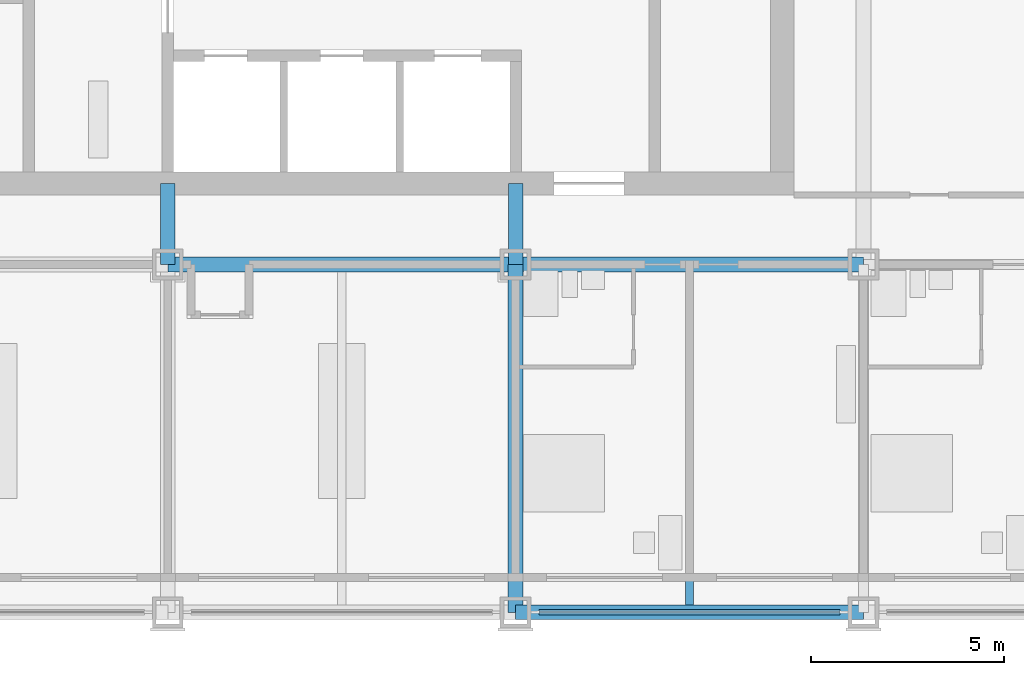
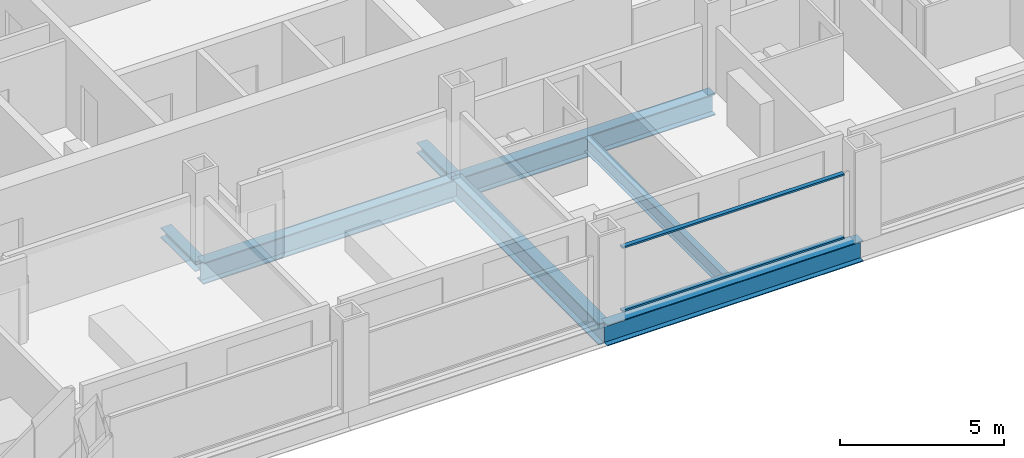
# One storey, part 3 of 18: 5 beams, 4 members, 1 element without a shape of its own.
"""IFC4 building model written with IfcOpenShell, lengths in metres."""

from ifc_helpers import new_model, si_unit, direction, frame, origin, origin_2d, place, context, subcontext, project, spatial, rectangle, i_section, extrude, material, material_profile, profile_set, type_object, element, aggregate, save


model = new_model("IFC4")

# Units and contexts
model_context = context("Model", 3, precision=1e-05, world=origin(), true_north=direction((0.0, 1.0)))
body_context = subcontext(model_context, "Body", "Model", "MODEL_VIEW")
ifc_project = project(units=[si_unit("LENGTHUNIT", "METRE"), si_unit("AREAUNIT", "SQUARE_METRE"), si_unit("VOLUMEUNIT", "CUBIC_METRE"), si_unit("PLANEANGLEUNIT", "RADIAN"), si_unit("MASSUNIT", "GRAM", prefix="KILO")], contexts=[model_context])

# Site, building, storey
site_placement = place(None, origin())
site = spatial("IfcSite", under=ifc_project, at=site_placement, CompositionType="ELEMENT")
building_placement = place(site_placement, origin())
building = spatial("IfcBuilding", under=site, at=building_placement, Name="Loomwork Tower", CompositionType="ELEMENT")
storey_placement = place(building_placement, frame((0.0, 0.0, 28.0)))
storey = spatial("IfcBuildingStorey", under=building, at=storey_placement, Name="L05", CompositionType="ELEMENT", Elevation=28.0)

# Beams
ifc_material_1 = material(Name="Steel ASTM A992", Category="steel")
ifc_material_profile_1 = material_profile(ifc_material_1, i_section(OverallWidth=0.383544921875, OverallDepth=0.794921875, WebThickness=0.02099609375, FlangeThickness=0.0380859375, at=origin_2d()), Name="W30x235")
ifc_profile_set_1 = profile_set([ifc_material_profile_1], Name="Steel ASTM A992")
beam_type_1 = type_object("IfcBeamType", Name="CORE FLANK GIRDER W30x235", PredefinedType="BEAM", material=ifc_profile_set_1)
for number, where, z_axis, x_axis, name in (
    (1, (18.0, 9.0, -0.597412109375), (1.0, 0.0, 0.0), (0.0, 1.0, 0.0), "Core Flank Girder E/4-E/5 L05"),
    (2, (27.0, 9.0, -0.597412109375), (1.0, 0.0, 0.0), (0.0, 1.0, 0.0), "Core Flank Girder E/5-E/6 L05"),
    (3, (27.0, 0.0, -0.597412109375), (0.0, 1.0, 0.0), (-1.0, 0.0, 0.0), "Core Flank Girder D/5-E/5 L05"),
):
    element("IfcBeam", number, at=place(storey_placement, frame(where, z_axis=z_axis, x_axis=x_axis)), inside=storey, type_object=beam_type_1, Name=name, PredefinedType="BEAM", context=body_context, shape_type="SweptSolid", body=[
        extrude(i_section(OverallWidth=0.383544921875, OverallDepth=0.794921875, WebThickness=0.02099609375, FlangeThickness=0.0380859375, at=origin_2d()), origin(), (0.0, 0.0, 1.0), 9.0),
    ])

# Members
ifc_material_2 = material(Name="Steel ASTM A992", Category="steel")
ifc_material_profile_2 = material_profile(ifc_material_2, i_section(OverallWidth=0.373291015625, OverallDepth=0.373291015625, WebThickness=0.016357421875, FlangeThickness=0.026123046875, at=origin_2d()), Name="W14x132")
ifc_profile_set_2 = profile_set([ifc_material_profile_2], Name="Steel ASTM A992")
member_type_1 = type_object("IfcMemberType", Name="CORE LINK STRUT W14x132", PredefinedType="STRUT", material=ifc_profile_set_2)
for number, where, z_axis, x_axis, name in (
    (4, (27.0, 9.0, -0.38671875), (0.0, 1.0, 0.0), (-1.0, 0.0, 0.0), "Core link strut E/5-27.000,11.100 L05"),
    (5, (18.0, 9.0, -0.38671875), (0.0, 1.0, 0.0), (-1.0, 0.0, 0.0), "Core link strut E/4-18.000,11.100 L05"),
):
    element("IfcMember", number, at=place(storey_placement, frame(where, z_axis=z_axis, x_axis=x_axis)), inside=storey, type_object=member_type_1, Name=name, PredefinedType="STRUT", context=body_context, shape_type="SweptSolid", body=[
        extrude(i_section(OverallWidth=0.373291015625, OverallDepth=0.373291015625, WebThickness=0.016357421875, FlangeThickness=0.026123046875, at=origin_2d()), origin(), (0.0, 0.0, 1.0), 2.10009765625),
    ])

# Beam
ifc_material_3 = material(Name="Steel ASTM A992", Category="steel")
ifc_material_profile_3 = material_profile(ifc_material_3, i_section(OverallWidth=0.21240234375, OverallDepth=0.54345703125, WebThickness=0.01318359375, FlangeThickness=0.021240234375, at=origin_2d()), Name="W21x83")
ifc_profile_set_3 = profile_set([ifc_material_profile_3], Name="Steel ASTM A992")
beam_type_2 = type_object("IfcBeamType", Name="FLOOR JOIST W21x83", PredefinedType="JOIST", material=ifc_profile_set_3)
beam_1_placement = place(storey_placement, frame((31.5, 0.18994140625, -0.4716796875), z_axis=(0.0, 1.0, 0.0), x_axis=(-1.0, 0.0, 0.0)))
element("IfcBeam", 6, at=beam_1_placement, inside=storey, type_object=beam_type_2, Name="Floor Joist 31.500,0.000-31.500,9.000 L05", PredefinedType="JOIST", context=body_context, shape_type="SweptSolid", body=[
    extrude(i_section(OverallWidth=0.21240234375, OverallDepth=0.54345703125, WebThickness=0.01318359375, FlangeThickness=0.021240234375, at=origin_2d()), origin(), (0.0, 0.0, 1.0), 8.619140625),
])

# Curtain wall, members
ifc_material_4 = material(Name="Aluminium curtain wall frame", Category="aluminium")
curtain_wall_type = type_object("IfcCurtainWallType", Name="Outer skin glazing hotel", PredefinedType="NOTDEFINED", material=ifc_material_4)
curtain_wall_placement = place(storey_placement, origin())
curtain_wall = element("IfcCurtainWall", 7, at=curtain_wall_placement, inside=storey, type_object=curtain_wall_type, Name="Outer skin glazing hotel cw/S-27", PredefinedType="NOTDEFINED")
ifc_material_5 = material(Name="Aluminium curtain wall frame", Category="aluminium")
ifc_material_profile_4 = material_profile(ifc_material_5, rectangle(XDim=0.14990234375, YDim=0.06494140625, at=origin_2d()), Name="AL 65x150")
ifc_profile_set_4 = profile_set([ifc_material_profile_4], Name="Aluminium curtain wall frame")
member_type_2 = type_object("IfcMemberType", Name="Outer skin glazing hotel transom", PredefinedType="USERDEFINED", material=ifc_profile_set_4)
member_1_placement = place(storey_placement, frame((27.60009765625, 0.0, 0.032470703125), z_axis=(1.0, 0.0, 0.0), x_axis=(0.0, 1.0, 0.0)))
member_1 = element("IfcMember", 8, at=member_1_placement, type_object=member_type_2, Name="CW1 transom 1.1", ObjectType="TRANSOM", PredefinedType="USERDEFINED", context=body_context, shape_type="SweptSolid", body=[
    extrude(rectangle(XDim=0.14990234375, YDim=0.06494140625, at=origin_2d()), origin(), (0.0, 0.0, 1.0), 7.7998046875),
])
member_2_placement = place(storey_placement, frame((27.60009765625, 0.0, 2.3876953125), z_axis=(1.0, 0.0, 0.0), x_axis=(0.0, 1.0, 0.0)))
member_2 = element("IfcMember", 9, at=member_2_placement, type_object=member_type_2, Name="CW1 transom 1.2", ObjectType="TRANSOM", PredefinedType="USERDEFINED", context=body_context, shape_type="SweptSolid", body=[
    extrude(rectangle(XDim=0.14990234375, YDim=0.06494140625, at=origin_2d()), origin(), (0.0, 0.0, 1.0), 7.7998046875),
])
aggregate(curtain_wall, [member_1, member_2])

# Beam
ifc_material_6 = material(Name="Steel ASTM A992", Category="steel")
ifc_material_profile_5 = material_profile(ifc_material_6, i_section(OverallWidth=0.381103515625, OverallDepth=0.77978515625, WebThickness=0.01806640625, FlangeThickness=0.0302734375, at=origin_2d()), Name="W30x191")
ifc_profile_set_5 = profile_set([ifc_material_profile_5], Name="Steel ASTM A992")
beam_type_3 = type_object("IfcBeamType", Name="SPANDREL GIRDER W30x191", PredefinedType="SPANDREL", material=ifc_profile_set_5)
beam_2_placement = place(storey_placement, frame((27.0, 0.0, -0.58984375), z_axis=(1.0, 0.0, 0.0), x_axis=(0.0, 1.0, 0.0)))
element("IfcBeam", 10, at=beam_2_placement, inside=storey, type_object=beam_type_3, Name="Spandrel Girder D/5-D/6 L05", PredefinedType="SPANDREL", context=body_context, shape_type="SweptSolid", body=[
    extrude(i_section(OverallWidth=0.381103515625, OverallDepth=0.77978515625, WebThickness=0.01806640625, FlangeThickness=0.0302734375, at=origin_2d()), origin(), (0.0, 0.0, 1.0), 9.0),
])

save(model, "model.ifc")
